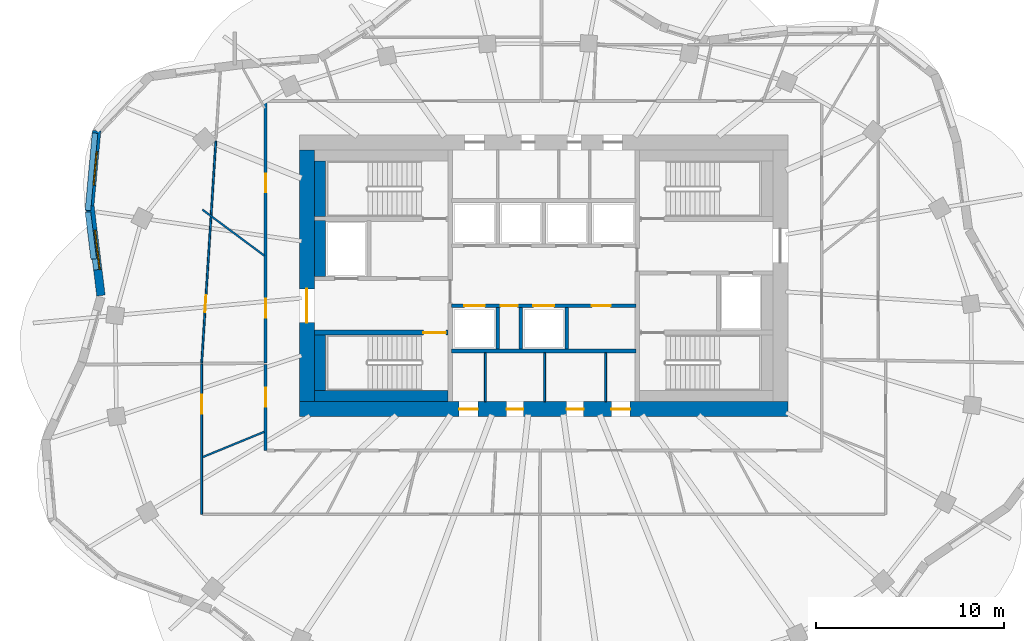
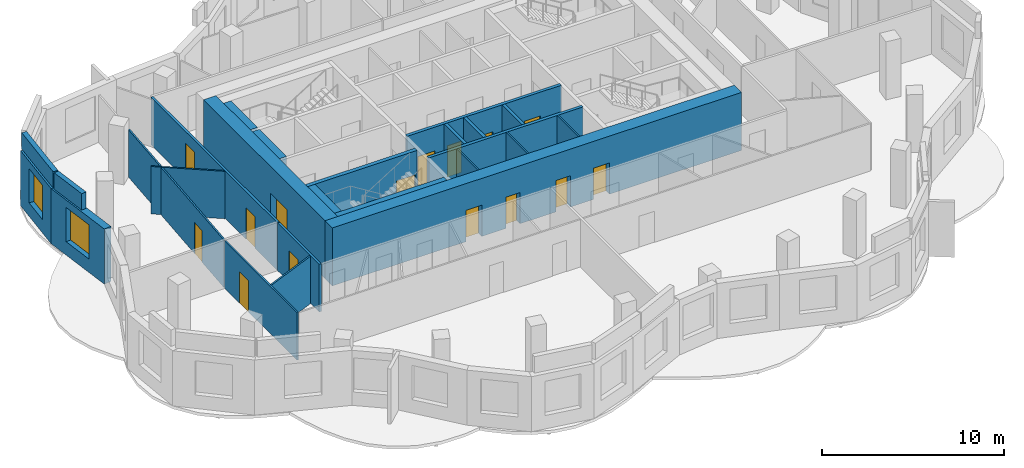
# One storey, part 4 of 10: 25 walls, 15 doors, 2 windows, 17 openings.
"""IFC4 building model written with IfcOpenShell, lengths in metres."""

from ifc_helpers import new_model, si_unit, direction, frame, frame_2d, origin, place, context, subcontext, project, spatial, rectangle, extrude, material, layer, layer_set, type_object, element, fill, save


model = new_model("IFC4")

# Units and contexts
model_context = context("Model", 3, precision=1e-05, world=origin(), true_north=direction((0.0, 1.0)))
body_context = subcontext(model_context, "Body", "Model", "MODEL_VIEW")
ifc_project = project(units=[si_unit("LENGTHUNIT", "METRE"), si_unit("AREAUNIT", "SQUARE_METRE"), si_unit("VOLUMEUNIT", "CUBIC_METRE"), si_unit("PLANEANGLEUNIT", "RADIAN"), si_unit("MASSUNIT", "GRAM", prefix="KILO")], contexts=[model_context])

# Site, building, storey
site_placement = place(None, origin())
site = spatial("IfcSite", under=ifc_project, at=site_placement, CompositionType="ELEMENT")
building_placement = place(site_placement, origin())
building = spatial("IfcBuilding", under=site, at=building_placement, Name="Rubra Terraces Tower", CompositionType="ELEMENT")
storey_placement = place(building_placement, frame((0.0, 0.0, 296.10009765625)))
storey = spatial("IfcBuildingStorey", under=building, at=storey_placement, Name="L73", CompositionType="ELEMENT", Elevation=296.10009765625)

# Wall, opening, window
ifc_material_1 = material(Name="Brick masonry red-brown", Category="masonry")
ifc_layer_1 = layer(ifc_material_1, 0.449951171875)
ifc_layer_set_1 = layer_set([ifc_layer_1], Name="Brick masonry red-brown")
wall_type_1 = type_object("IfcWallType", Name="Brick facade wall 450", PredefinedType="SOLIDWALL", material=ifc_layer_set_1)
wall_1_placement = place(storey_placement, frame((-23.787841796875, 12.21435546875, 0.0), z_axis=(0.0, 0.0, 1.0), x_axis=(-0.091885237351, -0.995769603451, 0.0)))
wall_1 = element("IfcWall", 1, at=wall_1_placement, inside=storey, type_object=wall_type_1, Name="Facade wall L73 bay 18", PredefinedType="SOLIDWALL", context=body_context, shape_type="SweptSolid", body=[
    extrude(rectangle(XDim=3.99609375, YDim=0.449951171875, at=frame_2d((1.998046875, 0.0))), origin(), (0.0, 0.0, 1.0), 3.699951171875),
])
opening_1_placement = place(wall_1_placement, frame((1.09814453125, 0.0, 0.89990234375)))
opening_1 = element("IfcOpeningElement", 2, at=opening_1_placement, cuts=wall_1, Name="Opening W6B", PredefinedType="OPENING", context=body_context, shape_type="SweptSolid", body=[
    extrude(rectangle(XDim=1.800048828125, YDim=2.300048828125, at=frame_2d((0.89990234375, 1.14990234375))), frame((0.0, 0.23486328125, 0.0), z_axis=(0.0, -1.0, 0.0), x_axis=(1.0, 0.0, 0.0)), (0.0, 0.0, 1.0), 0.469970703125),
])
ifc_material_2 = material(Name="Clear glass in aluminium frame", Category="aluminium")
window_type_1 = type_object("IfcWindowType", Name="Fixed deep-set window at wind fin tall storey 1800 x 2300", PartitioningType="SINGLE_PANEL", PredefinedType="WINDOW", material=ifc_material_2)
window_1_placement = place(opening_1_placement, origin())
window_1 = element("IfcWindow", 3, at=window_1_placement, inside=storey, type_object=window_type_1, Name="Window L73 bay 18", OverallHeight=2.300048828125, OverallWidth=1.800048828125, PartitioningType="SINGLE_PANEL", PredefinedType="WINDOW", context=body_context, shape_type="SweptSolid", body=[
    extrude(rectangle(XDim=1.800048828125, YDim=2.300048828125, at=frame_2d((0.89990234375, 1.14990234375))), frame((0.0, 0.135009765625, 0.0), z_axis=(0.0, -1.0, 0.0), x_axis=(1.0, 0.0, 0.0)), (0.0, 0.0, 1.0), 0.06005859375),
])
fill(opening_1, window_1)

wall_2_placement = place(storey_placement, frame((-24.15576171875, 8.283203125, 0.0), z_axis=(0.0, 0.0, 1.0), x_axis=(0.122319995681, -0.992490714645, 0.0)))
wall_2 = element("IfcWall", 4, at=wall_2_placement, inside=storey, type_object=wall_type_1, Name="Facade wall L73 bay 19", PredefinedType="SOLIDWALL", context=body_context, shape_type="SweptSolid", body=[
    extrude(rectangle(XDim=4.8720703125, YDim=0.449951171875, at=frame_2d((2.43603515625, 0.0))), origin(), (0.0, 0.0, 1.0), 3.699951171875),
])
opening_2_placement = place(wall_2_placement, frame((1.385986328125, 0.0, 0.89990234375)))
opening_2 = element("IfcOpeningElement", 5, at=opening_2_placement, cuts=wall_2, Name="Opening W1B", PredefinedType="OPENING", context=body_context, shape_type="SweptSolid", body=[
    extrude(rectangle(XDim=2.10009765625, YDim=2.300048828125, at=frame_2d((1.050048828125, 1.14990234375))), frame((0.0, 0.23486328125, 0.0), z_axis=(0.0, -1.0, 0.0), x_axis=(1.0, 0.0, 0.0)), (0.0, 0.0, 1.0), 0.469970703125),
])
window_type_2 = type_object("IfcWindowType", Name="Fixed deep-set window tall storey 2100 x 2300", PartitioningType="SINGLE_PANEL", PredefinedType="WINDOW", material=ifc_material_2)
window_2_placement = place(opening_2_placement, origin())
window_2 = element("IfcWindow", 6, at=window_2_placement, inside=storey, type_object=window_type_2, Name="Window L73 bay 19", OverallHeight=2.300048828125, OverallWidth=2.10009765625, PartitioningType="SINGLE_PANEL", PredefinedType="WINDOW", context=body_context, shape_type="SweptSolid", body=[
    extrude(rectangle(XDim=2.10009765625, YDim=2.300048828125, at=frame_2d((1.050048828125, 1.14990234375))), frame((0.0, 0.135009765625, 0.0), z_axis=(0.0, -1.0, 0.0), x_axis=(1.0, 0.0, 0.0)), (0.0, 0.0, 1.0), 0.06005859375),
])
fill(opening_2, window_2)

# Walls
ifc_layer_2 = layer(ifc_material_1, 0.300048828125)
ifc_layer_set_2 = layer_set([ifc_layer_2], Name="Brick masonry red-brown")
wall_type_2 = type_object("IfcWallType", Name="Brick parapet 300", PredefinedType="PARAPET", material=ifc_layer_set_2)
wall_3_placement = place(storey_placement, frame((-23.875, 12.08740234375, 3.89990234375), z_axis=(0.0, 0.0, 1.0), x_axis=(-0.091842900475, -0.995773509204, 0.0)))
element("IfcWall", 7, at=wall_3_placement, inside=storey, type_object=wall_type_2, Name="Parapet L73 bay 18", PredefinedType="PARAPET", context=body_context, shape_type="SweptSolid", body=[
    extrude(rectangle(XDim=4.12548828125, YDim=0.300048828125, at=frame_2d((2.062744140625, 0.0))), origin(), (0.0, 0.0, 1.0), 1.10009765625),
])
wall_4_placement = place(storey_placement, frame((-24.25244140625, 7.887451171875, 3.89990234375), z_axis=(0.0, 0.0, 1.0), x_axis=(0.122315432018, -0.992491277085, 0.0)))
element("IfcWall", 8, at=wall_4_placement, inside=storey, type_object=wall_type_2, Name="Parapet L73 bay 19", PredefinedType="PARAPET", context=body_context, shape_type="SweptSolid", body=[
    extrude(rectangle(XDim=2.516845703125, YDim=0.300048828125, at=frame_2d((1.25830078125, 0.0))), origin(), (0.0, 0.0, 1.0), 1.10009765625),
])

# Wall, openings, doors
ifc_material_3 = material(Name="Concrete C50", Category="concrete")
ifc_layer_3 = layer(ifc_material_3, 0.800048828125)
ifc_layer_set_3 = layer_set([ifc_layer_3], Name="Concrete C50")
wall_type_3 = type_object("IfcWallType", Name="CORE WALL 800 C50", PredefinedType="SHEAR", material=ifc_layer_set_3)
wall_5_placement = place(storey_placement, frame((-13.0, -2.60009765625, 0.0), z_axis=(0.0, 0.0, 1.0), x_axis=(1.0, 0.0, 0.0)))
wall_5 = element("IfcWall", 9, at=wall_5_placement, inside=storey, type_object=wall_type_3, Name="CORE WALL S L73", PredefinedType="SHEAR", context=body_context, shape_type="SweptSolid", body=[
    extrude(rectangle(XDim=26.0, YDim=0.800048828125, at=frame_2d((13.0, 0.0))), origin(), (0.0, 0.0, 1.0), 3.89990234375),
])
opening_3_placement = place(wall_5_placement, frame((8.5, 0.0, 0.0)))
opening_3 = element("IfcOpeningElement", 10, at=opening_3_placement, cuts=wall_5, Name="Opening L73.C21", PredefinedType="OPENING", context=body_context, shape_type="SweptSolid", body=[
    extrude(rectangle(XDim=1.0, YDim=2.10009765625, at=frame_2d((0.5, 1.050048828125))), frame((0.0, 0.409912109375, 0.0), z_axis=(0.0, -1.0, 0.0), x_axis=(1.0, 0.0, 0.0)), (0.0, 0.0, 1.0), 0.820068359375),
])
opening_4_placement = place(wall_5_placement, frame((11.02490234375, 0.0, 0.0)))
opening_4 = element("IfcOpeningElement", 11, at=opening_4_placement, cuts=wall_5, Name="Opening L73.C22", PredefinedType="OPENING", context=body_context, shape_type="SweptSolid", body=[
    extrude(rectangle(XDim=0.89990234375, YDim=2.10009765625, at=frame_2d((0.449951171875, 1.050048828125))), frame((0.0, 0.409912109375, 0.0), z_axis=(0.0, -1.0, 0.0), x_axis=(1.0, 0.0, 0.0)), (0.0, 0.0, 1.0), 0.820068359375),
])
opening_5_placement = place(wall_5_placement, frame((14.22509765625, 0.0, 0.0)))
opening_5 = element("IfcOpeningElement", 12, at=opening_5_placement, cuts=wall_5, Name="Opening L73.C23", PredefinedType="OPENING", context=body_context, shape_type="SweptSolid", body=[
    extrude(rectangle(XDim=0.89990234375, YDim=2.10009765625, at=frame_2d((0.449951171875, 1.050048828125))), frame((0.0, 0.409912109375, 0.0), z_axis=(0.0, -1.0, 0.0), x_axis=(1.0, 0.0, 0.0)), (0.0, 0.0, 1.0), 0.820068359375),
])
opening_6_placement = place(wall_5_placement, frame((16.60009765625, 0.0, 0.0)))
opening_6 = element("IfcOpeningElement", 13, at=opening_6_placement, cuts=wall_5, Name="Opening L73.C24", PredefinedType="OPENING", context=body_context, shape_type="SweptSolid", body=[
    extrude(rectangle(XDim=1.0, YDim=2.10009765625, at=frame_2d((0.5, 1.050048828125))), frame((0.0, 0.409912109375, 0.0), z_axis=(0.0, -1.0, 0.0), x_axis=(1.0, 0.0, 0.0)), (0.0, 0.0, 1.0), 0.820068359375),
])
ifc_material_4 = material(Name="Painted steel", Category="steel")
door_type_1 = type_object("IfcDoorType", Name="Fire door 1000x2100 single", OperationType="NOTDEFINED", PredefinedType="DOOR", material=ifc_material_4)
door_1_placement = place(opening_3_placement, origin())
door_1 = element("IfcDoor", 14, at=door_1_placement, inside=storey, type_object=door_type_1, Name="Accessible WC door", OperationType="SINGLE_SWING_LEFT", OverallHeight=2.10009765625, OverallWidth=1.0, PredefinedType="DOOR", context=body_context, shape_type="SweptSolid", body=[
    extrude(rectangle(XDim=1.0, YDim=2.10009765625, at=frame_2d((0.5, 1.050048828125))), frame((0.0, 0.02490234375, 0.0), z_axis=(0.0, -1.0, 0.0), x_axis=(1.0, 0.0, 0.0)), (0.0, 0.0, 1.0), 0.050048828125),
])
fill(opening_3, door_1)
door_2_placement = place(opening_6_placement, origin())
door_2 = element("IfcDoor", 15, at=door_2_placement, inside=storey, type_object=door_type_1, Name="General store door", OperationType="SINGLE_SWING_RIGHT", OverallHeight=2.10009765625, OverallWidth=1.0, PredefinedType="DOOR", context=body_context, shape_type="SweptSolid", body=[
    extrude(rectangle(XDim=1.0, YDim=2.10009765625, at=frame_2d((0.5, 1.050048828125))), frame((0.0, 0.02490234375, 0.0), z_axis=(0.0, -1.0, 0.0), x_axis=(1.0, 0.0, 0.0)), (0.0, 0.0, 1.0), 0.050048828125),
])
fill(opening_6, door_2)
door_type_2 = type_object("IfcDoorType", Name="Fire door 900x2100 single", OperationType="NOTDEFINED", PredefinedType="DOOR", material=ifc_material_4)
door_3_placement = place(opening_4_placement, origin())
door_3 = element("IfcDoor", 16, at=door_3_placement, inside=storey, type_object=door_type_2, Name="Ladies WC door", OperationType="SINGLE_SWING_RIGHT", OverallHeight=2.10009765625, OverallWidth=0.89990234375, PredefinedType="DOOR", context=body_context, shape_type="SweptSolid", body=[
    extrude(rectangle(XDim=0.89990234375, YDim=2.10009765625, at=frame_2d((0.449951171875, 1.050048828125))), frame((0.0, 0.02490234375, 0.0), z_axis=(0.0, -1.0, 0.0), x_axis=(1.0, 0.0, 0.0)), (0.0, 0.0, 1.0), 0.050048828125),
])
fill(opening_4, door_3)
door_4_placement = place(opening_5_placement, origin())
door_4 = element("IfcDoor", 17, at=door_4_placement, inside=storey, type_object=door_type_2, Name="Gents WC door", OperationType="SINGLE_SWING_LEFT", OverallHeight=2.10009765625, OverallWidth=0.89990234375, PredefinedType="DOOR", context=body_context, shape_type="SweptSolid", body=[
    extrude(rectangle(XDim=0.89990234375, YDim=2.10009765625, at=frame_2d((0.449951171875, 1.050048828125))), frame((0.0, 0.02490234375, 0.0), z_axis=(0.0, -1.0, 0.0), x_axis=(1.0, 0.0, 0.0)), (0.0, 0.0, 1.0), 0.050048828125),
])
fill(opening_5, door_4)

# Wall, opening, door
wall_6_placement = place(storey_placement, frame((-12.60009765625, -2.199951171875, 0.0), z_axis=(0.0, 0.0, 1.0), x_axis=(0.0, 1.0, 0.0)))
wall_6 = element("IfcWall", 18, at=wall_6_placement, inside=storey, type_object=wall_type_3, Name="CORE WALL W L73", PredefinedType="SHEAR", context=body_context, shape_type="SweptSolid", body=[
    extrude(rectangle(XDim=13.39990234375, YDim=0.800048828125, at=frame_2d((6.699951171875, 0.0))), origin(), (0.0, 0.0, 1.0), 3.89990234375),
])
opening_7_placement = place(wall_6_placement, frame((4.199951171875, 0.0, 0.0)))
opening_7 = element("IfcOpeningElement", 19, at=opening_7_placement, cuts=wall_6, Name="Opening L73.C01", PredefinedType="OPENING", context=body_context, shape_type="SweptSolid", body=[
    extrude(rectangle(XDim=1.800048828125, YDim=2.10009765625, at=frame_2d((0.89990234375, 1.050048828125))), frame((0.0, 0.409912109375, 0.0), z_axis=(0.0, -1.0, 0.0), x_axis=(1.0, 0.0, 0.0)), (0.0, 0.0, 1.0), 0.820068359375),
])
door_type_3 = type_object("IfcDoorType", Name="Fire door 1800x2100 double", OperationType="NOTDEFINED", PredefinedType="DOOR", material=ifc_material_4)
door_5_placement = place(opening_7_placement, origin())
door_5 = element("IfcDoor", 20, at=door_5_placement, inside=storey, type_object=door_type_3, Name="Core entrance door FF1", OperationType="DOUBLE_DOOR_SINGLE_SWING", OverallHeight=2.10009765625, OverallWidth=1.800048828125, PredefinedType="DOOR", context=body_context, shape_type="SweptSolid", body=[
    extrude(rectangle(XDim=1.800048828125, YDim=2.10009765625, at=frame_2d((0.89990234375, 1.050048828125))), frame((0.0, 0.02490234375, 0.0), z_axis=(0.0, -1.0, 0.0), x_axis=(1.0, 0.0, 0.0)), (0.0, 0.0, 1.0), 0.050048828125),
])
fill(opening_7, door_5)

# Wall, openings, doors
ifc_material_5 = material(Name="Plasterboard on steel stud, mineral wool infill", Category="steel")
ifc_layer_4 = layer(ifc_material_5, 0.14990234375)
ifc_layer_set_4 = layer_set([ifc_layer_4], Name="Plasterboard on steel stud, mineral wool infill")
wall_type_4 = type_object("IfcWallType", Name="CORRIDOR PARTITION 150", PredefinedType="PARTITIONING", material=ifc_layer_set_4)
wall_7_placement = place(storey_placement, frame((-14.800048828125, 13.72509765625, 0.0), z_axis=(0.0, 0.0, 1.0), x_axis=(0.0, -1.0, 0.0)))
wall_7 = element("IfcWall", 21, at=wall_7_placement, inside=storey, type_object=wall_type_4, Name="PARTITION", PredefinedType="PARTITIONING", context=body_context, shape_type="SweptSolid", body=[
    extrude(rectangle(XDim=13.872314453125, YDim=0.14990234375, at=frame_2d((6.93603515625, 0.0))), origin(), (0.0, 0.0, 1.0), 3.197998046875),
])
opening_8_placement = place(wall_7_placement, frame((3.791015625, 0.0, 0.0)))
opening_8 = element("IfcOpeningElement", 22, at=opening_8_placement, cuts=wall_7, Name="Opening 73-109", PredefinedType="OPENING", context=body_context, shape_type="SweptSolid", body=[
    extrude(rectangle(XDim=1.0, YDim=2.39990234375, at=frame_2d((0.5, 1.199951171875))), frame((0.0, 0.0849609375, 0.0), z_axis=(0.0, -1.0, 0.0), x_axis=(1.0, 0.0, 0.0)), (0.0, 0.0, 1.0), 0.169921875),
])
opening_9_placement = place(wall_7_placement, frame((10.449951171875, 0.0, 0.0)))
opening_9 = element("IfcOpeningElement", 23, at=opening_9_placement, cuts=wall_7, Name="Opening 73-126", PredefinedType="OPENING", context=body_context, shape_type="SweptSolid", body=[
    extrude(rectangle(XDim=1.0, YDim=2.10009765625, at=frame_2d((0.5, 1.050048828125))), frame((0.0, 0.0849609375, 0.0), z_axis=(0.0, -1.0, 0.0), x_axis=(1.0, 0.0, 0.0)), (0.0, 0.0, 1.0), 0.169921875),
])
ifc_material_6 = material(Name="Glazed aluminium meeting door leaf", Category="aluminium")
door_type_4 = type_object("IfcDoorType", Name="MEETING ROOM GLAZED DOOR 1000 X 2400", OperationType="SINGLE_SWING_LEFT", PredefinedType="DOOR", material=ifc_material_6)
door_6_placement = place(opening_8_placement, origin())
door_6 = element("IfcDoor", 24, at=door_6_placement, inside=storey, type_object=door_type_4, Name="DOOR 73-109", OperationType="SINGLE_SWING_RIGHT", OverallHeight=2.39990234375, OverallWidth=1.0, PredefinedType="DOOR", context=body_context, shape_type="SweptSolid", body=[
    extrude(rectangle(XDim=1.0, YDim=2.39990234375, at=frame_2d((0.5, 1.199951171875))), frame((0.0, 0.02490234375, 0.0), z_axis=(0.0, -1.0, 0.0), x_axis=(1.0, 0.0, 0.0)), (0.0, 0.0, 1.0), 0.050048828125),
])
fill(opening_8, door_6)
ifc_material_7 = material(Name="Painted timber door leaf", Category="wood")
door_type_5 = type_object("IfcDoorType", Name="ROOM DOOR 1000 X 2100", OperationType="SINGLE_SWING_LEFT", PredefinedType="DOOR", material=ifc_material_7)
door_7_placement = place(opening_9_placement, origin())
door_7 = element("IfcDoor", 25, at=door_7_placement, inside=storey, type_object=door_type_5, Name="DOOR 73-126", OperationType="SINGLE_SWING_RIGHT", OverallHeight=2.10009765625, OverallWidth=1.0, PredefinedType="DOOR", context=body_context, shape_type="SweptSolid", body=[
    extrude(rectangle(XDim=1.0, YDim=2.10009765625, at=frame_2d((0.5, 1.050048828125))), frame((0.0, 0.02490234375, 0.0), z_axis=(0.0, -1.0, 0.0), x_axis=(1.0, 0.0, 0.0)), (0.0, 0.0, 1.0), 0.050048828125),
])
fill(opening_9, door_7)

# Wall, opening, door
wall_8_placement = place(storey_placement, frame((-14.800048828125, -0.22216796875, 0.0), z_axis=(0.0, 0.0, 1.0), x_axis=(0.0, -1.0, 0.0)))
wall_8 = element("IfcWall", 26, at=wall_8_placement, inside=storey, type_object=wall_type_4, Name="PARTITION", PredefinedType="PARTITIONING", context=body_context, shape_type="SweptSolid", body=[
    extrude(rectangle(XDim=4.577880859375, YDim=0.14990234375, at=frame_2d((2.2890625, 0.0))), origin(), (0.0, 0.0, 1.0), 3.197998046875),
])
opening_10_placement = place(wall_8_placement, frame((1.239990234375, 0.0, 0.0)))
opening_10 = element("IfcOpeningElement", 27, at=opening_10_placement, cuts=wall_8, Name="Opening 73-111", PredefinedType="OPENING", context=body_context, shape_type="SweptSolid", body=[
    extrude(rectangle(XDim=1.0, YDim=2.10009765625, at=frame_2d((0.5, 1.050048828125))), frame((0.0, 0.0849609375, 0.0), z_axis=(0.0, -1.0, 0.0), x_axis=(1.0, 0.0, 0.0)), (0.0, 0.0, 1.0), 0.169921875),
])
door_8_placement = place(opening_10_placement, origin())
door_8 = element("IfcDoor", 28, at=door_8_placement, inside=storey, type_object=door_type_5, Name="DOOR 73-111", OperationType="SINGLE_SWING_RIGHT", OverallHeight=2.10009765625, OverallWidth=1.0, PredefinedType="DOOR", context=body_context, shape_type="SweptSolid", body=[
    extrude(rectangle(XDim=1.0, YDim=2.10009765625, at=frame_2d((0.5, 1.050048828125))), frame((0.0, 0.02490234375, 0.0), z_axis=(0.0, -1.0, 0.0), x_axis=(1.0, 0.0, 0.0)), (0.0, 0.0, 1.0), 0.050048828125),
])
fill(opening_10, door_8)

# Walls
ifc_material_8 = material(Name="Concrete C40", Category="concrete")
ifc_layer_5 = layer(ifc_material_8, 0.60009765625)
ifc_layer_set_5 = layer_set([ifc_layer_5], Name="Concrete C40")
wall_type_5 = type_object("IfcWallType", Name="Core lining wall 600 concrete", PredefinedType="SOLIDWALL", material=ifc_layer_set_5)
wall_9_placement = place(storey_placement, frame((-12.199951171875, -1.89990234375, 0.0), z_axis=(0.0, 0.0, 1.0), x_axis=(1.0, 0.0, 0.0)))
element("IfcWall", 29, at=wall_9_placement, inside=storey, type_object=wall_type_5, Name="CORE LINING WALL L73", PredefinedType="SOLIDWALL", context=body_context, shape_type="SweptSolid", body=[
    extrude(rectangle(XDim=7.099853515625, YDim=0.60009765625, at=frame_2d((3.5498046875, 0.0))), origin(), (0.0, 0.0, 1.0), 3.699951171875),
])
wall_10_placement = place(storey_placement, frame((-11.89990234375, -1.60009765625, 0.0), z_axis=(0.0, 0.0, 1.0), x_axis=(0.0, 1.0, 0.0)))
element("IfcWall", 30, at=wall_10_placement, inside=storey, type_object=wall_type_5, Name="CORE LINING WALL L73", PredefinedType="SOLIDWALL", context=body_context, shape_type="SweptSolid", body=[
    extrude(rectangle(XDim=2.9501953125, YDim=0.60009765625, at=frame_2d((1.47509765625, 0.0))), origin(), (0.0, 0.0, 1.0), 3.699951171875),
])
wall_11_placement = place(storey_placement, frame((-11.89990234375, 4.449951171875, 0.0), z_axis=(0.0, 0.0, 1.0), x_axis=(0.0, 1.0, 0.0)))
element("IfcWall", 31, at=wall_11_placement, inside=storey, type_object=wall_type_5, Name="CORE LINING WALL L73", PredefinedType="SOLIDWALL", context=body_context, shape_type="SweptSolid", body=[
    extrude(rectangle(XDim=3.0, YDim=0.60009765625, at=frame_2d((1.5, 0.0))), origin(), (0.0, 0.0, 1.0), 3.699951171875),
])
wall_12_placement = place(storey_placement, frame((-11.89990234375, 7.64990234375, 0.0), z_axis=(0.0, 0.0, 1.0), x_axis=(0.0, 1.0, 0.0)))
element("IfcWall", 32, at=wall_12_placement, inside=storey, type_object=wall_type_5, Name="CORE LINING WALL L73", PredefinedType="SOLIDWALL", context=body_context, shape_type="SweptSolid", body=[
    extrude(rectangle(XDim=2.9501953125, YDim=0.60009765625, at=frame_2d((1.47509765625, 0.0))), origin(), (0.0, 0.0, 1.0), 3.699951171875),
])
ifc_material_9 = material(Name="Concrete C30", Category="concrete")
ifc_layer_6 = layer(ifc_material_9, 0.199951171875)
ifc_layer_set_6 = layer_set([ifc_layer_6], Name="Concrete C30")
wall_type_6 = type_object("IfcWallType", Name="Core wall 200 concrete", PredefinedType="SOLIDWALL", material=ifc_layer_set_6)
wall_13_placement = place(storey_placement, frame((-4.89990234375, 0.5, 0.0), z_axis=(0.0, 0.0, 1.0), x_axis=(1.0, 0.0, 0.0)))
element("IfcWall", 33, at=wall_13_placement, inside=storey, type_object=wall_type_6, Name="LIFT SHAFT WALL L73", PredefinedType="SOLIDWALL", context=body_context, shape_type="SweptSolid", body=[
    extrude(rectangle(XDim=9.7998046875, YDim=0.199951171875, at=frame_2d((4.89990234375, 0.0))), origin(), (0.0, 0.0, 1.0), 3.699951171875),
])

# Wall, openings, doors
wall_14_placement = place(storey_placement, frame((-4.89990234375, 2.89990234375, 0.0), z_axis=(0.0, 0.0, 1.0), x_axis=(1.0, 0.0, 0.0)))
wall_14 = element("IfcWall", 34, at=wall_14_placement, inside=storey, type_object=wall_type_6, Name="LIFT SHAFT WALL L73", PredefinedType="SOLIDWALL", context=body_context, shape_type="SweptSolid", body=[
    extrude(rectangle(XDim=9.7998046875, YDim=0.199951171875, at=frame_2d((4.89990234375, 0.0))), origin(), (0.0, 0.0, 1.0), 3.699951171875),
])
opening_11_placement = place(wall_14_placement, frame((0.675048828125, 0.0, 0.0)))
opening_11 = element("IfcOpeningElement", 35, at=opening_11_placement, cuts=wall_14, Name="Opening L73.C13", PredefinedType="OPENING", context=body_context, shape_type="SweptSolid", body=[
    extrude(rectangle(XDim=1.10009765625, YDim=2.10009765625, at=frame_2d((0.550048828125, 1.050048828125))), frame((0.0, 0.10986328125, 0.0), z_axis=(0.0, -1.0, 0.0), x_axis=(1.0, 0.0, 0.0)), (0.0, 0.0, 1.0), 0.219970703125),
])
opening_12_placement = place(wall_14_placement, frame((2.613037109375, 0.0, 0.0)))
opening_12 = element("IfcOpeningElement", 36, at=opening_12_placement, cuts=wall_14, Name="Opening L73.C14", PredefinedType="OPENING", context=body_context, shape_type="SweptSolid", body=[
    extrude(rectangle(XDim=0.89990234375, YDim=2.10009765625, at=frame_2d((0.449951171875, 1.050048828125))), frame((0.0, 0.10986328125, 0.0), z_axis=(0.0, -1.0, 0.0), x_axis=(1.0, 0.0, 0.0)), (0.0, 0.0, 1.0), 0.219970703125),
])
opening_13_placement = place(wall_14_placement, frame((4.35009765625, 0.0, 0.0)))
opening_13 = element("IfcOpeningElement", 37, at=opening_13_placement, cuts=wall_14, Name="Opening L73.C15", PredefinedType="OPENING", context=body_context, shape_type="SweptSolid", body=[
    extrude(rectangle(XDim=1.10009765625, YDim=2.10009765625, at=frame_2d((0.550048828125, 1.050048828125))), frame((0.0, 0.10986328125, 0.0), z_axis=(0.0, -1.0, 0.0), x_axis=(1.0, 0.0, 0.0)), (0.0, 0.0, 1.0), 0.219970703125),
])
opening_14_placement = place(wall_14_placement, frame((7.462890625, 0.0, 0.0)))
opening_14 = element("IfcOpeningElement", 38, at=opening_14_placement, cuts=wall_14, Name="Opening L73.C16", PredefinedType="OPENING", context=body_context, shape_type="SweptSolid", body=[
    extrude(rectangle(XDim=1.0, YDim=2.10009765625, at=frame_2d((0.5, 1.050048828125))), frame((0.0, 0.10986328125, 0.0), z_axis=(0.0, -1.0, 0.0), x_axis=(1.0, 0.0, 0.0)), (0.0, 0.0, 1.0), 0.219970703125),
])
door_9_placement = place(opening_14_placement, origin())
door_9 = element("IfcDoor", 39, at=door_9_placement, inside=storey, type_object=door_type_1, Name="Ice and vending room door", OperationType="SINGLE_SWING_RIGHT", OverallHeight=2.10009765625, OverallWidth=1.0, PredefinedType="DOOR", context=body_context, shape_type="SweptSolid", body=[
    extrude(rectangle(XDim=1.0, YDim=2.10009765625, at=frame_2d((0.5, 1.050048828125))), frame((0.0, 0.02490234375, 0.0), z_axis=(0.0, -1.0, 0.0), x_axis=(1.0, 0.0, 0.0)), (0.0, 0.0, 1.0), 0.050048828125),
])
fill(opening_14, door_9)
door_10_placement = place(opening_12_placement, origin())
door_10 = element("IfcDoor", 40, at=door_10_placement, inside=storey, type_object=door_type_2, Name="Cleaner's store door", OperationType="SINGLE_SWING_RIGHT", OverallHeight=2.10009765625, OverallWidth=0.89990234375, PredefinedType="DOOR", context=body_context, shape_type="SweptSolid", body=[
    extrude(rectangle(XDim=0.89990234375, YDim=2.10009765625, at=frame_2d((0.449951171875, 1.050048828125))), frame((0.0, 0.02490234375, 0.0), z_axis=(0.0, -1.0, 0.0), x_axis=(1.0, 0.0, 0.0)), (0.0, 0.0, 1.0), 0.050048828125),
])
fill(opening_12, door_10)
ifc_material_10 = material(Name="Stainless steel", Category="steel")
door_type_6 = type_object("IfcDoorType", Name="Lift landing door 1100x2100", OperationType="NOTDEFINED", PredefinedType="DOOR", material=ifc_material_10)
door_11_placement = place(opening_11_placement, origin())
door_11 = element("IfcDoor", 41, at=door_11_placement, inside=storey, type_object=door_type_6, Name="Landing door HB1", OperationType="SLIDING_TO_RIGHT", OverallHeight=2.10009765625, OverallWidth=1.10009765625, PredefinedType="DOOR", context=body_context, shape_type="SweptSolid", body=[
    extrude(rectangle(XDim=1.10009765625, YDim=2.10009765625, at=frame_2d((0.550048828125, 1.050048828125))), frame((0.0, 0.02490234375, 0.0), z_axis=(0.0, -1.0, 0.0), x_axis=(1.0, 0.0, 0.0)), (0.0, 0.0, 1.0), 0.050048828125),
])
fill(opening_11, door_11)
door_12_placement = place(opening_13_placement, origin())
door_12 = element("IfcDoor", 42, at=door_12_placement, inside=storey, type_object=door_type_6, Name="Landing door HB2", OperationType="SLIDING_TO_LEFT", OverallHeight=2.10009765625, OverallWidth=1.10009765625, PredefinedType="DOOR", context=body_context, shape_type="SweptSolid", body=[
    extrude(rectangle(XDim=1.10009765625, YDim=2.10009765625, at=frame_2d((0.550048828125, 1.050048828125))), frame((0.0, 0.02490234375, 0.0), z_axis=(0.0, -1.0, 0.0), x_axis=(1.0, 0.0, 0.0)), (0.0, 0.0, 1.0), 0.050048828125),
])
fill(opening_13, door_12)

# Walls
for number, where, z_axis, x_axis, name in (
    (43, (-2.449951171875, 0.60009765625, 0.0), (0.0, 0.0, 1.0), (0.0, 1.0, 0.0), "LIFT SHAFT WALL L73"),
    (44, (-1.22509765625, 0.60009765625, 0.0), (0.0, 0.0, 1.0), (0.0, 1.0, 0.0), "LIFT SHAFT WALL L73"),
    (45, (1.22509765625, 0.60009765625, 0.0), (0.0, 0.0, 1.0), (0.0, 1.0, 0.0), "LIFT SHAFT WALL L73"),
):
    element("IfcWall", number, at=place(storey_placement, frame(where, z_axis=z_axis, x_axis=x_axis)), inside=storey, type_object=wall_type_6, Name=name, PredefinedType="SOLIDWALL", context=body_context, shape_type="SweptSolid", body=[
        extrude(rectangle(XDim=2.199951171875, YDim=0.199951171875, at=frame_2d((1.10009765625, 0.0))), origin(), (0.0, 0.0, 1.0), 3.699951171875),
    ])

# Wall, opening, door
ifc_material_11 = material(Name="Plasterboard on steel stud", Category="steel")
ifc_layer_7 = layer(ifc_material_11, 0.10009765625)
ifc_layer_set_7 = layer_set([ifc_layer_7], Name="Plasterboard on steel stud")
wall_type_7 = type_object("IfcWallType", Name="ROOM PARTITION 100", PredefinedType="PARTITIONING", material=ifc_layer_set_7)
wall_15_placement = place(storey_placement, frame((-18.199951171875, -0.15673828125, 0.0), z_axis=(0.0, 0.0, 1.0), x_axis=(0.063656514624, 0.997971867412, 0.0)))
wall_15 = element("IfcWall", 46, at=wall_15_placement, inside=storey, type_object=wall_type_7, Name="PARTITION", PredefinedType="PARTITIONING", context=body_context, shape_type="SweptSolid", body=[
    extrude(rectangle(XDim=11.854736328125, YDim=0.10009765625, at=frame_2d((5.92724609375, 0.0))), origin(), (0.0, 0.0, 1.0), 3.183837890625),
])
opening_15_placement = place(wall_15_placement, frame((2.73193359375, 0.0, 0.0)))
opening_15 = element("IfcOpeningElement", 47, at=opening_15_placement, cuts=wall_15, Name="Opening 73-110", PredefinedType="OPENING", context=body_context, shape_type="SweptSolid", body=[
    extrude(rectangle(XDim=0.89990234375, YDim=2.10009765625, at=frame_2d((0.449951171875, 1.050048828125))), frame((0.0, 0.06005859375, 0.0), z_axis=(0.0, -1.0, 0.0), x_axis=(1.0, 0.0, 0.0)), (0.0, 0.0, 1.0), 0.1201171875),
])
door_type_7 = type_object("IfcDoorType", Name="ROOM DOOR 900 X 2100", OperationType="SINGLE_SWING_LEFT", PredefinedType="DOOR", material=ifc_material_7)
door_13_placement = place(opening_15_placement, origin())
door_13 = element("IfcDoor", 48, at=door_13_placement, inside=storey, type_object=door_type_7, Name="DOOR 73-110", OperationType="SINGLE_SWING_LEFT", OverallHeight=2.10009765625, OverallWidth=0.89990234375, PredefinedType="DOOR", context=body_context, shape_type="SweptSolid", body=[
    extrude(rectangle(XDim=0.89990234375, YDim=2.10009765625, at=frame_2d((0.449951171875, 1.050048828125))), frame((0.0, 0.02490234375, 0.0), z_axis=(0.0, -1.0, 0.0), x_axis=(1.0, 0.0, 0.0)), (0.0, 0.0, 1.0), 0.050048828125),
])
fill(opening_15, door_13)

# Wall
wall_16_placement = place(storey_placement, frame((-14.860107421875, 5.56689453125, 0.0), z_axis=(0.0, 0.0, 1.0), x_axis=(-0.803012729879, 0.595961874328, 0.0)))
element("IfcWall", 49, at=wall_16_placement, inside=storey, type_object=wall_type_7, Name="PARTITION", PredefinedType="PARTITIONING", context=body_context, shape_type="SweptSolid", body=[
    extrude(rectangle(XDim=4.109375, YDim=0.10009765625, at=frame_2d((2.0546875, 0.0))), origin(), (0.0, 0.0, 1.0), 3.183837890625),
])

# Wall, opening, door
wall_17_placement = place(storey_placement, frame((-18.199951171875, -8.199951171875, 0.0), z_axis=(0.0, 0.0, 1.0), x_axis=(0.0, 1.0, 0.0)))
wall_17 = element("IfcWall", 50, at=wall_17_placement, inside=storey, type_object=wall_type_7, Name="PARTITION", PredefinedType="PARTITIONING", context=body_context, shape_type="SweptSolid", body=[
    extrude(rectangle(XDim=8.003173828125, YDim=0.10009765625, at=frame_2d((4.00146484375, 0.0))), origin(), (0.0, 0.0, 1.0), 3.183837890625),
])
opening_16_placement = place(wall_17_placement, frame((5.35498046875, 0.0, 0.0)))
opening_16 = element("IfcOpeningElement", 51, at=opening_16_placement, cuts=wall_17, Name="Opening 73-112", PredefinedType="OPENING", context=body_context, shape_type="SweptSolid", body=[
    extrude(rectangle(XDim=1.0, YDim=2.10009765625, at=frame_2d((0.5, 1.050048828125))), frame((0.0, 0.06005859375, 0.0), z_axis=(0.0, -1.0, 0.0), x_axis=(1.0, 0.0, 0.0)), (0.0, 0.0, 1.0), 0.1201171875),
])
door_14_placement = place(opening_16_placement, origin())
door_14 = element("IfcDoor", 52, at=door_14_placement, inside=storey, type_object=door_type_5, Name="DOOR 73-112", OperationType="SINGLE_SWING_RIGHT", OverallHeight=2.10009765625, OverallWidth=1.0, PredefinedType="DOOR", context=body_context, shape_type="SweptSolid", body=[
    extrude(rectangle(XDim=1.0, YDim=2.10009765625, at=frame_2d((0.5, 1.050048828125))), frame((0.0, 0.02490234375, 0.0), z_axis=(0.0, -1.0, 0.0), x_axis=(1.0, 0.0, 0.0)), (0.0, 0.0, 1.0), 0.050048828125),
])
fill(opening_16, door_14)

# Walls
wall_18_placement = place(storey_placement, frame((-14.869384765625, -3.80517578125, 0.0), z_axis=(0.0, 0.0, 1.0), x_axis=(-0.925100495969, -0.379722362205, 0.0)))
element("IfcWall", 53, at=wall_18_placement, inside=storey, type_object=wall_type_7, Name="PARTITION", PredefinedType="PARTITIONING", context=body_context, shape_type="SweptSolid", body=[
    extrude(rectangle(XDim=3.55029296875, YDim=0.10009765625, at=frame_2d((1.775146484375, 0.0))), origin(), (0.0, 0.0, 1.0), 3.183837890625),
])
ifc_material_12 = material(Name="Blockwork", Category="masonry")
ifc_layer_8 = layer(ifc_material_12, 0.10009765625)
ifc_layer_set_8 = layer_set([ifc_layer_8], Name="Blockwork")
wall_type_8 = type_object("IfcWallType", Name="Service partition 100 blockwork", PredefinedType="PARTITIONING", material=ifc_layer_set_8)
for number, where, z_axis, x_axis, name in (
    (54, (-3.10009765625, -2.199951171875, 0.0), (0.0, 0.0, 1.0), (0.0, 1.0, 0.0), "SERVICE ROOM PARTITION L73"),
    (55, (0.050048828125, -2.199951171875, 0.0), (0.0, 0.0, 1.0), (0.0, 1.0, 0.0), "SERVICE ROOM PARTITION L73"),
    (56, (3.300048828125, -2.199951171875, 0.0), (0.0, 0.0, 1.0), (0.0, 1.0, 0.0), "SERVICE ROOM PARTITION L73"),
):
    element("IfcWall", number, at=place(storey_placement, frame(where, z_axis=z_axis, x_axis=x_axis)), inside=storey, type_object=wall_type_8, Name=name, PredefinedType="PARTITIONING", context=body_context, shape_type="SweptSolid", body=[
        extrude(rectangle(XDim=2.599853515625, YDim=0.10009765625, at=frame_2d((1.2998046875, 0.0))), origin(), (0.0, 0.0, 1.0), 3.699951171875),
    ])

# Wall, opening, door
ifc_layer_9 = layer(ifc_material_8, 0.25)
ifc_layer_set_9 = layer_set([ifc_layer_9], Name="Concrete C40")
wall_type_9 = type_object("IfcWallType", Name="Stair enclosure wall 250 concrete", PredefinedType="SOLIDWALL", material=ifc_layer_set_9)
wall_19_placement = place(storey_placement, frame((-12.199951171875, 1.47509765625, 0.0), z_axis=(0.0, 0.0, 1.0), x_axis=(1.0, 0.0, 0.0)))
wall_19 = element("IfcWall", 57, at=wall_19_placement, inside=storey, type_object=wall_type_9, Name="STAIR WALL L73", PredefinedType="SOLIDWALL", context=body_context, shape_type="SweptSolid", body=[
    extrude(rectangle(XDim=7.099853515625, YDim=0.25, at=frame_2d((3.5498046875, 0.0))), origin(), (0.0, 0.0, 1.0), 3.699951171875),
])
opening_17_placement = place(wall_19_placement, frame((5.800048828125, 0.0, 0.0)))
opening_17 = element("IfcOpeningElement", 58, at=opening_17_placement, cuts=wall_19, Name="Opening L73.C07", PredefinedType="OPENING", context=body_context, shape_type="SweptSolid", body=[
    extrude(rectangle(XDim=1.199951171875, YDim=2.10009765625, at=frame_2d((0.60009765625, 1.050048828125))), frame((0.0, 0.135009765625, 0.0), z_axis=(0.0, -1.0, 0.0), x_axis=(1.0, 0.0, 0.0)), (0.0, 0.0, 1.0), 0.27001953125),
])
door_type_8 = type_object("IfcDoorType", Name="Fire door 1200x2100 single", OperationType="NOTDEFINED", PredefinedType="DOOR", material=ifc_material_4)
door_15_placement = place(opening_17_placement, origin())
door_15 = element("IfcDoor", 59, at=door_15_placement, inside=storey, type_object=door_type_8, Name="Stair door S1", OperationType="SINGLE_SWING_LEFT", OverallHeight=2.10009765625, OverallWidth=1.199951171875, PredefinedType="DOOR", context=body_context, shape_type="SweptSolid", body=[
    extrude(rectangle(XDim=1.199951171875, YDim=2.10009765625, at=frame_2d((0.60009765625, 1.050048828125))), frame((0.0, 0.02490234375, 0.0), z_axis=(0.0, -1.0, 0.0), x_axis=(1.0, 0.0, 0.0)), (0.0, 0.0, 1.0), 0.050048828125),
])
fill(opening_17, door_15)

save(model, "model.ifc")
